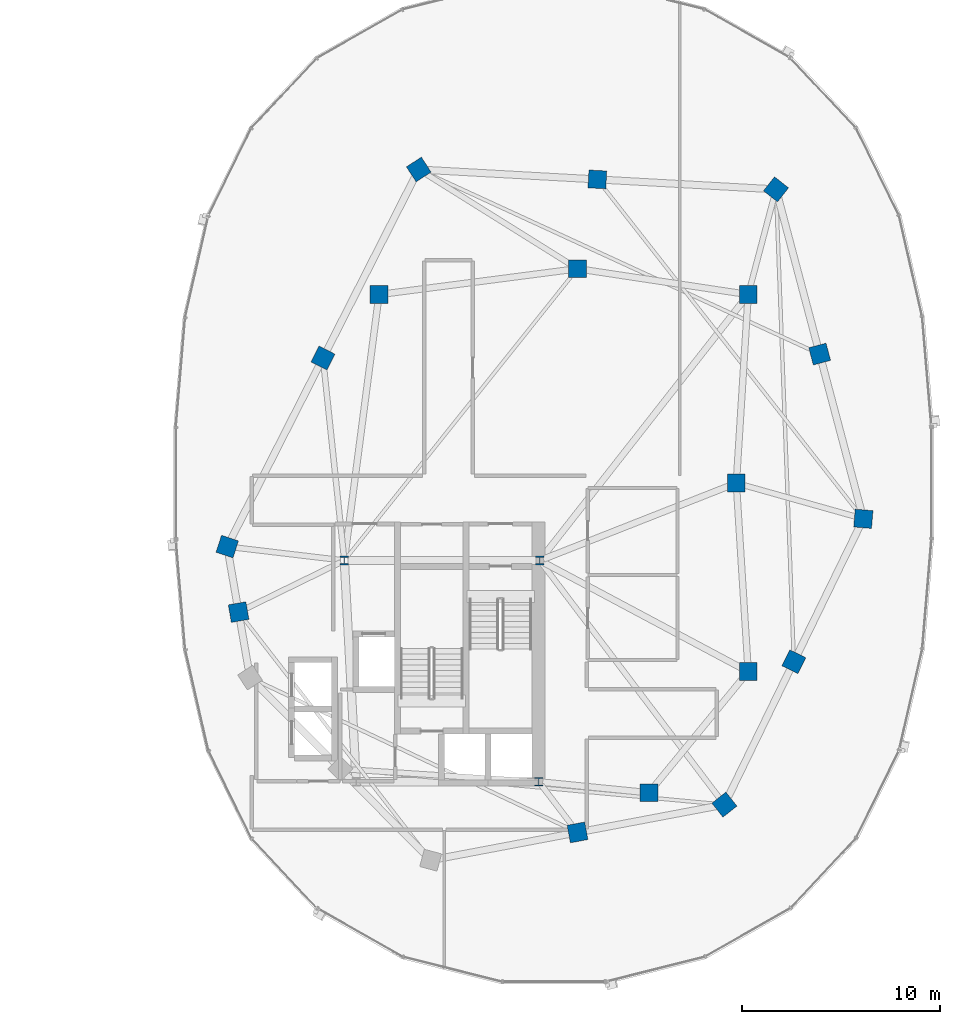
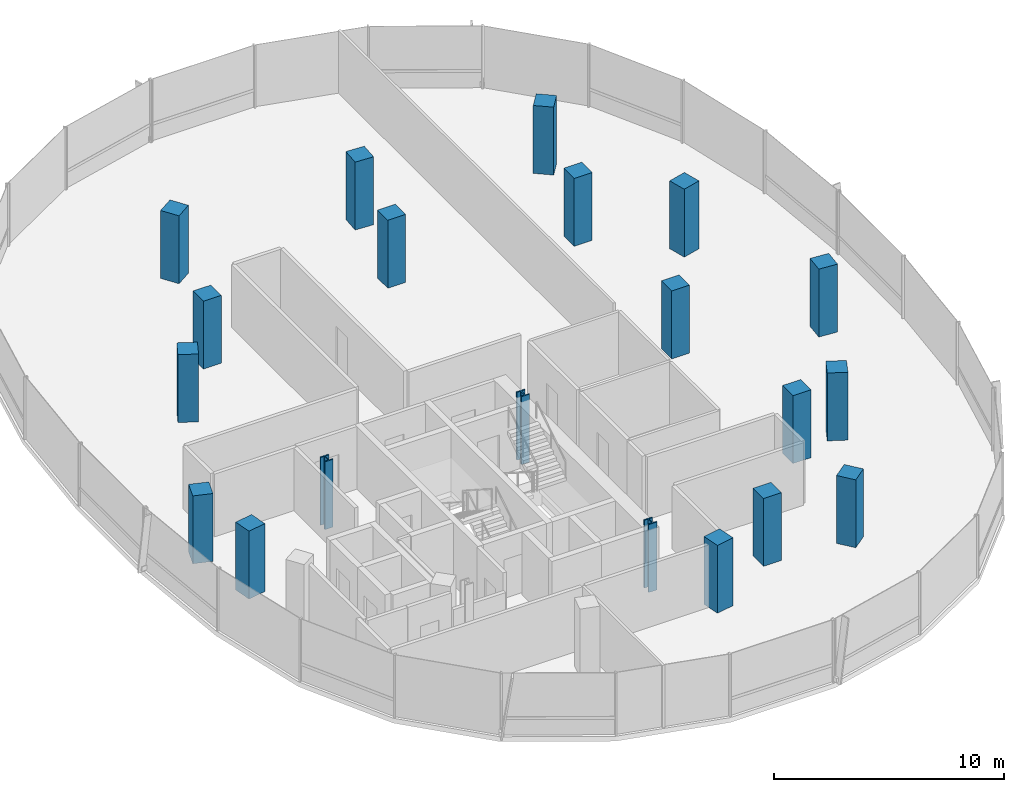
# One storey, part 2 of 24: 20 columns.
"""IFC4 building model written with IfcOpenShell, lengths in metres."""

from ifc_helpers import new_model, si_unit, direction, frame, origin, origin_2d, place, context, subcontext, project, spatial, rectangle, i_section, extrude, material, material_profile, profile_set, type_object, element, save


model = new_model("IFC4")

# Units and contexts
model_context = context("Model", 3, precision=1e-05, world=origin(), true_north=direction((0.0, 1.0)))
body_context = subcontext(model_context, "Body", "Model", "MODEL_VIEW")
ifc_project = project(units=[si_unit("LENGTHUNIT", "METRE"), si_unit("AREAUNIT", "SQUARE_METRE"), si_unit("VOLUMEUNIT", "CUBIC_METRE"), si_unit("PLANEANGLEUNIT", "RADIAN"), si_unit("MASSUNIT", "GRAM", prefix="KILO"), si_unit("THERMODYNAMICTEMPERATUREUNIT", "KELVIN"), si_unit("POWERUNIT", "WATT")], contexts=[model_context])

# Site, building, storey
site_placement = place(None, origin())
site = spatial("IfcSite", under=ifc_project, at=site_placement, CompositionType="ELEMENT")
building_placement = place(site_placement, origin())
building = spatial("IfcBuilding", under=site, at=building_placement, Name="Cundina Bronze Exchange", CompositionType="ELEMENT")
storey_placement = place(building_placement, frame((0.0, 0.0, 231.39990234375)))
storey = spatial("IfcBuildingStorey", under=building, at=storey_placement, Name="L61", CompositionType="ELEMENT", Elevation=231.39990234375)

# Columns
ifc_material_1 = material(Name="Steel ASTM A992 Grade 50", Category="steel")
ifc_material_profile_1 = material_profile(ifc_material_1, i_section(OverallWidth=0.416015625, OverallDepth=0.446044921875, WebThickness=0.0390625, FlangeThickness=0.062744140625, FilletRadius=0.01806640625, at=origin_2d()), Name="W14X342", Category="steel")
ifc_profile_set_1 = profile_set([ifc_material_profile_1], Name="Steel ASTM A992 Grade 50")
column_type_1 = type_object("IfcColumnType", Name="COL-STL-W14B", PredefinedType="COLUMN", material=ifc_profile_set_1)
for number, where, z_axis, x_axis, name in (
    (1, (31.300048828125, -3.89990234375, 0.0), (0.0, 0.0, 1.0), (1.0, 0.0, 0.0), "L61 Core Anchor Column E1"),
    (2, (21.449951171875, -3.89990234375, 0.0), (0.0, 0.0, 1.0), (1.0, 0.0, 0.0), "L61 Core Anchor Column E2"),
    (3, (31.25, -15.050048828125, 0.0), (0.0, 0.0, 1.0), (1.0, 0.0, 0.0), "L61 Core Anchor Column E4"),
):
    element("IfcColumn", number, at=place(storey_placement, frame(where, z_axis=z_axis, x_axis=x_axis)), inside=storey, type_object=column_type_1, Name=name, PredefinedType="COLUMN", context=body_context, shape_type="SweptSolid", body=[
        extrude(i_section(OverallWidth=0.416015625, OverallDepth=0.446044921875, WebThickness=0.0390625, FlangeThickness=0.062744140625, FilletRadius=0.01806640625, at=origin_2d()), origin(), (0.0, 0.0, 1.0), 3.60009765625),
    ])
ifc_material_2 = material(Name="Concrete C50/60", Category="concrete")
ifc_material_profile_2 = material_profile(ifc_material_2, rectangle(XDim=0.89990234375, YDim=0.89990234375, at=origin_2d()), Name="RC900X900", Category="concrete")
ifc_profile_set_2 = profile_set([ifc_material_profile_2], Name="Concrete C50/60")
column_type_2 = type_object("IfcColumnType", Name="COL-Z4-900", PredefinedType="COLUMN", material=ifc_profile_set_2)
for number, where, z_axis, x_axis, name in (
    (4, (41.199951171875, 0.0, 0.0), (0.0, 0.0, 1.0), (1.0, 0.0, 0.0), "L61 E Inner Ring Column 1"),
    (5, (41.800048828125, -9.5, 0.0), (0.0, 0.0, 1.0), (1.0, 0.0, 0.0), "L61 E Inner Ring Column 2"),
    (6, (36.800048828125, -15.60009765625, 0.0), (0.0, 0.0, 1.0), (1.0, 0.0, 0.0), "L61 E Inner Ring Column 3"),
    (7, (41.800048828125, 9.5, 0.0), (0.0, 0.0, 1.0), (1.0, 0.0, 0.0), "L61 E Inner Ring Column 4"),
    (8, (33.199951171875, 10.800048828125, 0.0), (0.0, 0.0, 1.0), (1.0, 0.0, 0.0), "L61 E Inner Ring Column 5"),
    (9, (23.199951171875, 9.5, 0.0), (0.0, 0.0, 1.0), (1.0, 0.0, 0.0), "L61 E Inner Ring Column 6"),
    (10, (15.550048828125, -3.199951171875, 0.0), (0.0, 0.0, 1.0), (-0.315152163383, -0.949041155016, 0.0), "L61 E Perimeter Column 00"),
    (11, (16.125, -6.5, 0.0), (0.0, 0.0, 1.0), (0.171585221787, -0.985169280715, 0.0), "L61 E Perimeter Column 01"),
    (12, (33.199951171875, -17.60009765625, 0.0), (0.0, 0.0, 1.0), (0.98258037664, 0.185838110843, 0.0), "L61 E Perimeter Column 05"),
    (13, (40.60009765625, -16.199951171875, 0.0), (0.0, 0.0, 1.0), (0.785100778485, 0.619368038909, 0.0), "L61 E Perimeter Column 06"),
    (14, (44.10009765625, -9.0, 0.0), (0.0, 0.0, 1.0), (0.437115766651, 0.899405251566, 0.0), "L61 E Perimeter Column 07"),
    (15, (47.60009765625, -1.800048828125, 0.0), (0.0, 0.0, 1.0), (0.083503921245, 0.996507448611, 0.0), "L61 E Perimeter Column 08"),
    (16, (45.39990234375, 6.5, 0.0), (0.0, 0.0, 1.0), (-0.256289373133, 0.966600102017, 0.0), "L61 E Perimeter Column 09"),
    (17, (43.199951171875, 14.800048828125, 0.0), (0.0, 0.0, 1.0), (-0.786288432137, 0.61785961309, 0.0), "L61 E Perimeter Column 10"),
    (18, (34.199951171875, 15.300048828125, 0.0), (0.0, 0.0, 1.0), (-0.998460188734, 0.055472980025, 0.0), "L61 E Perimeter Column 11"),
    (19, (25.199951171875, 15.800048828125, 0.0), (0.0, 0.0, 1.0), (-0.838099763533, -0.545516989988, 0.0), "L61 E Perimeter Column 12"),
    (20, (20.375, 6.300048828125, 0.0), (0.0, 0.0, 1.0), (-0.452901591366, -0.891560513111, 0.0), "L61 E Perimeter Column 13"),
):
    element("IfcColumn", number, at=place(storey_placement, frame(where, z_axis=z_axis, x_axis=x_axis)), inside=storey, type_object=column_type_2, Name=name, PredefinedType="COLUMN", context=body_context, shape_type="SweptSolid", body=[
        extrude(rectangle(XDim=0.89990234375, YDim=0.89990234375, at=origin_2d()), origin(), (0.0, 0.0, 1.0), 3.60009765625),
    ])

save(model, "model.ifc")
